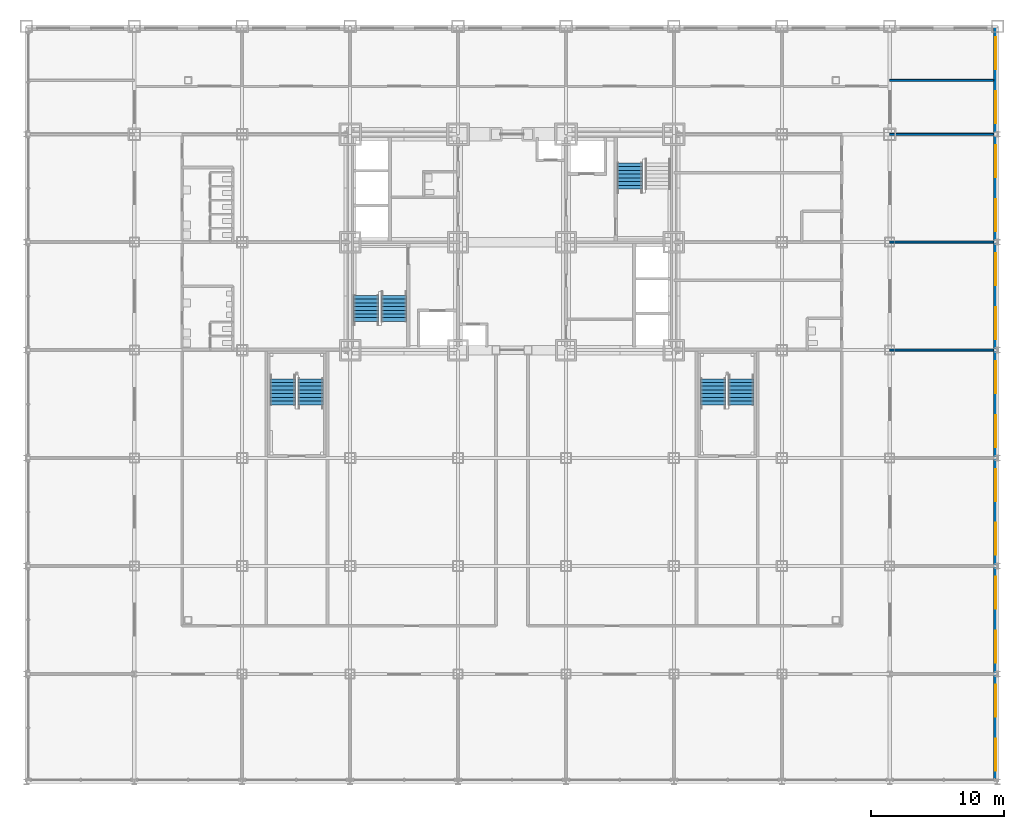
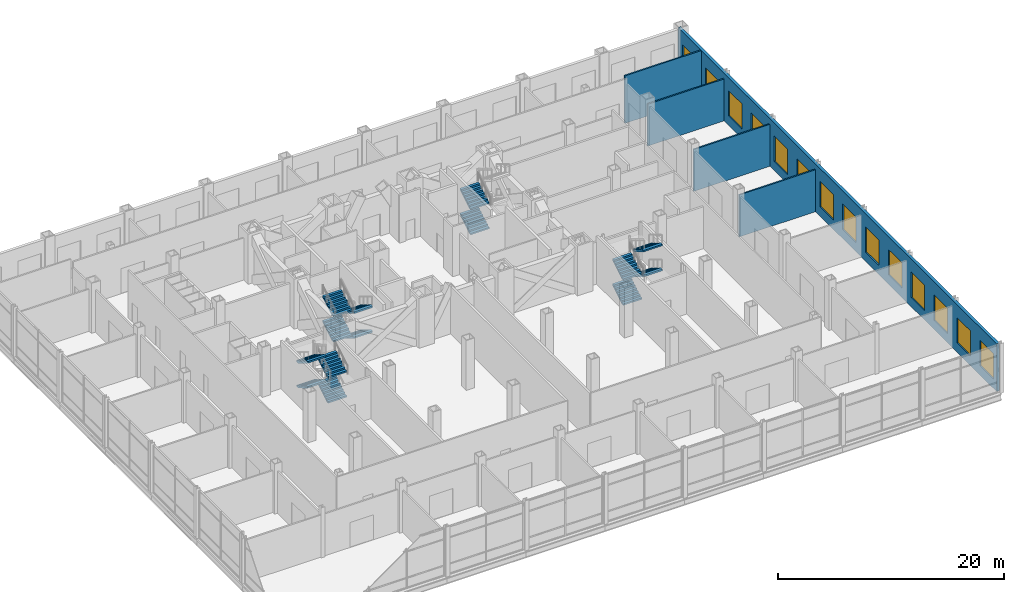
# One storey, part 26 of 30: 14 stair flights, 14 windows, 5 walls, 14 openings, 4 elements without a shape of their own.
"""IFC4 building model written with IfcOpenShell, lengths in metres."""

from ifc_helpers import new_model, si_unit, direction, frame, frame_2d, origin, place, context, subcontext, project, spatial, rectangle, extrude, polygons, source, transform, mapped, material, layer, layer_set, type_object, element, fill, aggregate, save


model = new_model("IFC4")

# Units and contexts
model_context = context("Model", 3, precision=1e-05, world=origin(), true_north=direction((0.0, 1.0)))
body_context = subcontext(model_context, "Body", "Model", "MODEL_VIEW")
ifc_project = project(units=[si_unit("LENGTHUNIT", "METRE"), si_unit("AREAUNIT", "SQUARE_METRE"), si_unit("VOLUMEUNIT", "CUBIC_METRE"), si_unit("PLANEANGLEUNIT", "RADIAN"), si_unit("MASSUNIT", "GRAM", prefix="KILO")], contexts=[model_context])

# Site, building, storey
site_placement = place(None, origin())
site = spatial("IfcSite", under=ifc_project, at=site_placement, CompositionType="ELEMENT")
building_placement = place(site_placement, origin())
building = spatial("IfcBuilding", under=site, at=building_placement, Name="Kopane Lantern Tower", CompositionType="ELEMENT")
storey_placement = place(building_placement, frame((0.0, 0.0, 6.0)))
storey = spatial("IfcBuildingStorey", under=building, at=storey_placement, Name="L01", CompositionType="ELEMENT", Elevation=6.0)

# Walls
ifc_material_1 = material(Name="Gypsum board on steel studs", Category="steel")
ifc_layer_1 = layer(ifc_material_1, 0.14990234375)
ifc_layer_set_1 = layer_set([ifc_layer_1], Name="DEMISING WALL 150 EI 60")
wall_type_1 = type_object("IfcWallType", Name="DEMISING WALL 150 EI 60", PredefinedType="PARTITIONING", material=ifc_layer_set_1)
for number, where, z_axis, x_axis, name in (
    (1, (56.699951171875, 24.300048828125, 0.0), (0.0, 0.0, 1.0), (1.0, 0.0, 0.0), "Demising Wall 150 Ei 60 L01"),
    (2, (56.699951171875, 32.39990234375, 0.0), (0.0, 0.0, 1.0), (1.0, 0.0, 0.0), "Demising Wall 150 Ei 60 L01"),
    (3, (56.699951171875, 40.5, 0.0), (0.0, 0.0, 1.0), (1.0, 0.0, 0.0), "Demising Wall 150 Ei 60 L01"),
):
    element("IfcWall", number, at=place(storey_placement, frame(where, z_axis=z_axis, x_axis=x_axis)), inside=storey, type_object=wall_type_1, Name=name, PredefinedType="PARTITIONING", context=body_context, shape_type="SweptSolid", body=[
        extrude(rectangle(XDim=7.800048828125, YDim=0.14990234375, at=frame_2d((3.89990234375, 0.0))), origin(), (0.0, 0.0, 1.0), 4.537841796875),
    ])
wall_1_placement = place(storey_placement, frame((56.699951171875, 44.550048828125, 0.0), z_axis=(0.0, 0.0, 1.0), x_axis=(1.0, 0.0, 0.0)))
element("IfcWall", 4, at=wall_1_placement, inside=storey, type_object=wall_type_1, Name="Demising Wall 150 Ei 60 L01", PredefinedType="PARTITIONING", context=body_context, shape_type="SweptSolid", body=[
    extrude(rectangle(XDim=7.800048828125, YDim=0.14990234375, at=frame_2d((3.89990234375, 0.0))), origin(), (0.0, 0.0, 1.0), 5.14990234375),
])

# Wall, openings, windows
ifc_material_2 = material(Name="Terracotta rainscreen on light steel framing", Category="masonry")
ifc_layer_2 = layer(ifc_material_2, 0.300048828125)
ifc_layer_set_2 = layer_set([ifc_layer_2], Name="EXTERNAL WALL EW1 300 TERRACOTTA")
wall_type_2 = type_object("IfcWallType", Name="EXTERNAL WALL EW1 300 TERRACOTTA", PredefinedType="SOLIDWALL", material=ifc_layer_set_2)
wall_2_placement = place(storey_placement, frame((64.64990234375, -7.85009765625, 0.0), z_axis=(0.0, 0.0, 1.0), x_axis=(0.0, 1.0, 0.0)))
wall_2 = element("IfcWall", 5, at=wall_2_placement, inside=storey, type_object=wall_type_2, Name="External wall E L01", PredefinedType="SOLIDWALL", context=body_context, shape_type="SweptSolid", body=[
    extrude(rectangle(XDim=56.4501953125, YDim=0.300048828125, at=frame_2d((28.22509765625, 0.0))), origin(), (0.0, 0.0, 1.0), 5.14990234375),
])
opening_1_placement = place(wall_2_placement, frame((0.574951171875, 0.0, 1.0)))
opening_1 = element("IfcOpeningElement", 6, at=opening_1_placement, cuts=wall_2, Name="Opening WP240275", PredefinedType="OPENING", context=body_context, shape_type="SweptSolid", body=[
    extrude(rectangle(XDim=2.39990234375, YDim=2.75, at=frame_2d((1.199951171875, 1.375))), frame((0.0, 0.159912109375, 0.0), z_axis=(0.0, -1.0, 0.0), x_axis=(1.0, 0.0, 0.0)), (0.0, 0.0, 1.0), 0.320068359375),
])
opening_2_placement = place(wall_2_placement, frame((4.625, 0.0, 1.0)))
opening_2 = element("IfcOpeningElement", 7, at=opening_2_placement, cuts=wall_2, Name="Opening WP240275", PredefinedType="OPENING", context=body_context, shape_type="SweptSolid", body=[
    extrude(rectangle(XDim=2.39990234375, YDim=2.75, at=frame_2d((1.199951171875, 1.375))), frame((0.0, 0.159912109375, 0.0), z_axis=(0.0, -1.0, 0.0), x_axis=(1.0, 0.0, 0.0)), (0.0, 0.0, 1.0), 0.320068359375),
])
opening_3_placement = place(wall_2_placement, frame((8.675048828125, 0.0, 1.0)))
opening_3 = element("IfcOpeningElement", 8, at=opening_3_placement, cuts=wall_2, Name="Opening WP240275", PredefinedType="OPENING", context=body_context, shape_type="SweptSolid", body=[
    extrude(rectangle(XDim=2.39990234375, YDim=2.75, at=frame_2d((1.199951171875, 1.375))), frame((0.0, 0.159912109375, 0.0), z_axis=(0.0, -1.0, 0.0), x_axis=(1.0, 0.0, 0.0)), (0.0, 0.0, 1.0), 0.320068359375),
])
opening_4_placement = place(wall_2_placement, frame((12.72509765625, 0.0, 1.0)))
opening_4 = element("IfcOpeningElement", 9, at=opening_4_placement, cuts=wall_2, Name="Opening WP240275", PredefinedType="OPENING", context=body_context, shape_type="SweptSolid", body=[
    extrude(rectangle(XDim=2.39990234375, YDim=2.75, at=frame_2d((1.199951171875, 1.375))), frame((0.0, 0.159912109375, 0.0), z_axis=(0.0, -1.0, 0.0), x_axis=(1.0, 0.0, 0.0)), (0.0, 0.0, 1.0), 0.320068359375),
])
opening_5_placement = place(wall_2_placement, frame((16.77490234375, 0.0, 1.0)))
opening_5 = element("IfcOpeningElement", 10, at=opening_5_placement, cuts=wall_2, Name="Opening WP240275", PredefinedType="OPENING", context=body_context, shape_type="SweptSolid", body=[
    extrude(rectangle(XDim=2.39990234375, YDim=2.75, at=frame_2d((1.199951171875, 1.375))), frame((0.0, 0.159912109375, 0.0), z_axis=(0.0, -1.0, 0.0), x_axis=(1.0, 0.0, 0.0)), (0.0, 0.0, 1.0), 0.320068359375),
])
opening_6_placement = place(wall_2_placement, frame((20.824951171875, 0.0, 1.0)))
opening_6 = element("IfcOpeningElement", 11, at=opening_6_placement, cuts=wall_2, Name="Opening WP240275", PredefinedType="OPENING", context=body_context, shape_type="SweptSolid", body=[
    extrude(rectangle(XDim=2.39990234375, YDim=2.75, at=frame_2d((1.199951171875, 1.375))), frame((0.0, 0.159912109375, 0.0), z_axis=(0.0, -1.0, 0.0), x_axis=(1.0, 0.0, 0.0)), (0.0, 0.0, 1.0), 0.320068359375),
])
opening_7_placement = place(wall_2_placement, frame((24.875, 0.0, 1.0)))
opening_7 = element("IfcOpeningElement", 12, at=opening_7_placement, cuts=wall_2, Name="Opening WP240275", PredefinedType="OPENING", context=body_context, shape_type="SweptSolid", body=[
    extrude(rectangle(XDim=2.39990234375, YDim=2.75, at=frame_2d((1.199951171875, 1.375))), frame((0.0, 0.159912109375, 0.0), z_axis=(0.0, -1.0, 0.0), x_axis=(1.0, 0.0, 0.0)), (0.0, 0.0, 1.0), 0.320068359375),
])
opening_8_placement = place(wall_2_placement, frame((28.925048828125, 0.0, 1.0)))
opening_8 = element("IfcOpeningElement", 13, at=opening_8_placement, cuts=wall_2, Name="Opening WP240275", PredefinedType="OPENING", context=body_context, shape_type="SweptSolid", body=[
    extrude(rectangle(XDim=2.39990234375, YDim=2.75, at=frame_2d((1.199951171875, 1.375))), frame((0.0, 0.159912109375, 0.0), z_axis=(0.0, -1.0, 0.0), x_axis=(1.0, 0.0, 0.0)), (0.0, 0.0, 1.0), 0.320068359375),
])
opening_9_placement = place(wall_2_placement, frame((32.97509765625, 0.0, 1.0)))
opening_9 = element("IfcOpeningElement", 14, at=opening_9_placement, cuts=wall_2, Name="Opening WP240275", PredefinedType="OPENING", context=body_context, shape_type="SweptSolid", body=[
    extrude(rectangle(XDim=2.39990234375, YDim=2.75, at=frame_2d((1.199951171875, 1.375))), frame((0.0, 0.159912109375, 0.0), z_axis=(0.0, -1.0, 0.0), x_axis=(1.0, 0.0, 0.0)), (0.0, 0.0, 1.0), 0.320068359375),
])
opening_10_placement = place(wall_2_placement, frame((37.02490234375, 0.0, 1.0)))
opening_10 = element("IfcOpeningElement", 15, at=opening_10_placement, cuts=wall_2, Name="Opening WP240275", PredefinedType="OPENING", context=body_context, shape_type="SweptSolid", body=[
    extrude(rectangle(XDim=2.39990234375, YDim=2.75, at=frame_2d((1.199951171875, 1.375))), frame((0.0, 0.159912109375, 0.0), z_axis=(0.0, -1.0, 0.0), x_axis=(1.0, 0.0, 0.0)), (0.0, 0.0, 1.0), 0.320068359375),
])
opening_11_placement = place(wall_2_placement, frame((41.074951171875, 0.0, 1.0)))
opening_11 = element("IfcOpeningElement", 16, at=opening_11_placement, cuts=wall_2, Name="Opening WP240275", PredefinedType="OPENING", context=body_context, shape_type="SweptSolid", body=[
    extrude(rectangle(XDim=2.39990234375, YDim=2.75, at=frame_2d((1.199951171875, 1.375))), frame((0.0, 0.159912109375, 0.0), z_axis=(0.0, -1.0, 0.0), x_axis=(1.0, 0.0, 0.0)), (0.0, 0.0, 1.0), 0.320068359375),
])
opening_12_placement = place(wall_2_placement, frame((45.125, 0.0, 1.0)))
opening_12 = element("IfcOpeningElement", 17, at=opening_12_placement, cuts=wall_2, Name="Opening WP240275", PredefinedType="OPENING", context=body_context, shape_type="SweptSolid", body=[
    extrude(rectangle(XDim=2.39990234375, YDim=2.75, at=frame_2d((1.199951171875, 1.375))), frame((0.0, 0.159912109375, 0.0), z_axis=(0.0, -1.0, 0.0), x_axis=(1.0, 0.0, 0.0)), (0.0, 0.0, 1.0), 0.320068359375),
])
opening_13_placement = place(wall_2_placement, frame((49.175048828125, 0.0, 1.0)))
opening_13 = element("IfcOpeningElement", 18, at=opening_13_placement, cuts=wall_2, Name="Opening WP240275", PredefinedType="OPENING", context=body_context, shape_type="SweptSolid", body=[
    extrude(rectangle(XDim=2.39990234375, YDim=2.75, at=frame_2d((1.199951171875, 1.375))), frame((0.0, 0.159912109375, 0.0), z_axis=(0.0, -1.0, 0.0), x_axis=(1.0, 0.0, 0.0)), (0.0, 0.0, 1.0), 0.320068359375),
])
opening_14_placement = place(wall_2_placement, frame((53.22509765625, 0.0, 1.0)))
opening_14 = element("IfcOpeningElement", 19, at=opening_14_placement, cuts=wall_2, Name="Opening WP240275", PredefinedType="OPENING", context=body_context, shape_type="SweptSolid", body=[
    extrude(rectangle(XDim=2.39990234375, YDim=2.75, at=frame_2d((1.199951171875, 1.375))), frame((0.0, 0.159912109375, 0.0), z_axis=(0.0, -1.0, 0.0), x_axis=(1.0, 0.0, 0.0)), (0.0, 0.0, 1.0), 0.320068359375),
])
ifc_material_3 = material(Name="Aluminium and clear glass", Category="aluminium")
window_type = type_object("IfcWindowType", Name="WINDOW WP240275 2400x2750", PartitioningType="SINGLE_PANEL", PredefinedType="WINDOW", material=ifc_material_3)
window_1_placement = place(opening_1_placement, origin())
window_1 = element("IfcWindow", 20, at=window_1_placement, inside=storey, type_object=window_type, Name="Window E L01", OverallHeight=2.75, OverallWidth=2.39990234375, PartitioningType="SINGLE_PANEL", PredefinedType="WINDOW", context=body_context, shape_type="SweptSolid", body=[
    extrude(rectangle(XDim=2.39990234375, YDim=2.75, at=frame_2d((1.199951171875, 1.375))), frame((0.0, 0.030029296875, 0.0), z_axis=(0.0, -1.0, 0.0), x_axis=(1.0, 0.0, 0.0)), (0.0, 0.0, 1.0), 0.06005859375),
])
fill(opening_1, window_1)
window_2_placement = place(opening_2_placement, origin())
window_2 = element("IfcWindow", 21, at=window_2_placement, inside=storey, type_object=window_type, Name="Window E L01", OverallHeight=2.75, OverallWidth=2.39990234375, PartitioningType="SINGLE_PANEL", PredefinedType="WINDOW", context=body_context, shape_type="SweptSolid", body=[
    extrude(rectangle(XDim=2.39990234375, YDim=2.75, at=frame_2d((1.199951171875, 1.375))), frame((0.0, 0.030029296875, 0.0), z_axis=(0.0, -1.0, 0.0), x_axis=(1.0, 0.0, 0.0)), (0.0, 0.0, 1.0), 0.06005859375),
])
fill(opening_2, window_2)
window_3_placement = place(opening_3_placement, origin())
window_3 = element("IfcWindow", 22, at=window_3_placement, inside=storey, type_object=window_type, Name="Window E L01", OverallHeight=2.75, OverallWidth=2.39990234375, PartitioningType="SINGLE_PANEL", PredefinedType="WINDOW", context=body_context, shape_type="SweptSolid", body=[
    extrude(rectangle(XDim=2.39990234375, YDim=2.75, at=frame_2d((1.199951171875, 1.375))), frame((0.0, 0.030029296875, 0.0), z_axis=(0.0, -1.0, 0.0), x_axis=(1.0, 0.0, 0.0)), (0.0, 0.0, 1.0), 0.06005859375),
])
fill(opening_3, window_3)
window_4_placement = place(opening_4_placement, origin())
window_4 = element("IfcWindow", 23, at=window_4_placement, inside=storey, type_object=window_type, Name="Window E L01", OverallHeight=2.75, OverallWidth=2.39990234375, PartitioningType="SINGLE_PANEL", PredefinedType="WINDOW", context=body_context, shape_type="SweptSolid", body=[
    extrude(rectangle(XDim=2.39990234375, YDim=2.75, at=frame_2d((1.199951171875, 1.375))), frame((0.0, 0.030029296875, 0.0), z_axis=(0.0, -1.0, 0.0), x_axis=(1.0, 0.0, 0.0)), (0.0, 0.0, 1.0), 0.06005859375),
])
fill(opening_4, window_4)
window_5_placement = place(opening_5_placement, origin())
window_5 = element("IfcWindow", 24, at=window_5_placement, inside=storey, type_object=window_type, Name="Window E L01", OverallHeight=2.75, OverallWidth=2.39990234375, PartitioningType="SINGLE_PANEL", PredefinedType="WINDOW", context=body_context, shape_type="SweptSolid", body=[
    extrude(rectangle(XDim=2.39990234375, YDim=2.75, at=frame_2d((1.199951171875, 1.375))), frame((0.0, 0.030029296875, 0.0), z_axis=(0.0, -1.0, 0.0), x_axis=(1.0, 0.0, 0.0)), (0.0, 0.0, 1.0), 0.06005859375),
])
fill(opening_5, window_5)
window_6_placement = place(opening_6_placement, origin())
window_6 = element("IfcWindow", 25, at=window_6_placement, inside=storey, type_object=window_type, Name="Window E L01", OverallHeight=2.75, OverallWidth=2.39990234375, PartitioningType="SINGLE_PANEL", PredefinedType="WINDOW", context=body_context, shape_type="SweptSolid", body=[
    extrude(rectangle(XDim=2.39990234375, YDim=2.75, at=frame_2d((1.199951171875, 1.375))), frame((0.0, 0.030029296875, 0.0), z_axis=(0.0, -1.0, 0.0), x_axis=(1.0, 0.0, 0.0)), (0.0, 0.0, 1.0), 0.06005859375),
])
fill(opening_6, window_6)
window_7_placement = place(opening_7_placement, origin())
window_7 = element("IfcWindow", 26, at=window_7_placement, inside=storey, type_object=window_type, Name="Window E L01", OverallHeight=2.75, OverallWidth=2.39990234375, PartitioningType="SINGLE_PANEL", PredefinedType="WINDOW", context=body_context, shape_type="SweptSolid", body=[
    extrude(rectangle(XDim=2.39990234375, YDim=2.75, at=frame_2d((1.199951171875, 1.375))), frame((0.0, 0.030029296875, 0.0), z_axis=(0.0, -1.0, 0.0), x_axis=(1.0, 0.0, 0.0)), (0.0, 0.0, 1.0), 0.06005859375),
])
fill(opening_7, window_7)
window_8_placement = place(opening_8_placement, origin())
window_8 = element("IfcWindow", 27, at=window_8_placement, inside=storey, type_object=window_type, Name="Window E L01", OverallHeight=2.75, OverallWidth=2.39990234375, PartitioningType="SINGLE_PANEL", PredefinedType="WINDOW", context=body_context, shape_type="SweptSolid", body=[
    extrude(rectangle(XDim=2.39990234375, YDim=2.75, at=frame_2d((1.199951171875, 1.375))), frame((0.0, 0.030029296875, 0.0), z_axis=(0.0, -1.0, 0.0), x_axis=(1.0, 0.0, 0.0)), (0.0, 0.0, 1.0), 0.06005859375),
])
fill(opening_8, window_8)
window_9_placement = place(opening_9_placement, origin())
window_9 = element("IfcWindow", 28, at=window_9_placement, inside=storey, type_object=window_type, Name="Window E L01", OverallHeight=2.75, OverallWidth=2.39990234375, PartitioningType="SINGLE_PANEL", PredefinedType="WINDOW", context=body_context, shape_type="SweptSolid", body=[
    extrude(rectangle(XDim=2.39990234375, YDim=2.75, at=frame_2d((1.199951171875, 1.375))), frame((0.0, 0.030029296875, 0.0), z_axis=(0.0, -1.0, 0.0), x_axis=(1.0, 0.0, 0.0)), (0.0, 0.0, 1.0), 0.06005859375),
])
fill(opening_9, window_9)
window_10_placement = place(opening_10_placement, origin())
window_10 = element("IfcWindow", 29, at=window_10_placement, inside=storey, type_object=window_type, Name="Window E L01", OverallHeight=2.75, OverallWidth=2.39990234375, PartitioningType="SINGLE_PANEL", PredefinedType="WINDOW", context=body_context, shape_type="SweptSolid", body=[
    extrude(rectangle(XDim=2.39990234375, YDim=2.75, at=frame_2d((1.199951171875, 1.375))), frame((0.0, 0.030029296875, 0.0), z_axis=(0.0, -1.0, 0.0), x_axis=(1.0, 0.0, 0.0)), (0.0, 0.0, 1.0), 0.06005859375),
])
fill(opening_10, window_10)
window_11_placement = place(opening_11_placement, origin())
window_11 = element("IfcWindow", 30, at=window_11_placement, inside=storey, type_object=window_type, Name="Window E L01", OverallHeight=2.75, OverallWidth=2.39990234375, PartitioningType="SINGLE_PANEL", PredefinedType="WINDOW", context=body_context, shape_type="SweptSolid", body=[
    extrude(rectangle(XDim=2.39990234375, YDim=2.75, at=frame_2d((1.199951171875, 1.375))), frame((0.0, 0.030029296875, 0.0), z_axis=(0.0, -1.0, 0.0), x_axis=(1.0, 0.0, 0.0)), (0.0, 0.0, 1.0), 0.06005859375),
])
fill(opening_11, window_11)
window_12_placement = place(opening_12_placement, origin())
window_12 = element("IfcWindow", 31, at=window_12_placement, inside=storey, type_object=window_type, Name="Window E L01", OverallHeight=2.75, OverallWidth=2.39990234375, PartitioningType="SINGLE_PANEL", PredefinedType="WINDOW", context=body_context, shape_type="SweptSolid", body=[
    extrude(rectangle(XDim=2.39990234375, YDim=2.75, at=frame_2d((1.199951171875, 1.375))), frame((0.0, 0.030029296875, 0.0), z_axis=(0.0, -1.0, 0.0), x_axis=(1.0, 0.0, 0.0)), (0.0, 0.0, 1.0), 0.06005859375),
])
fill(opening_12, window_12)
window_13_placement = place(opening_13_placement, origin())
window_13 = element("IfcWindow", 32, at=window_13_placement, inside=storey, type_object=window_type, Name="Window E L01", OverallHeight=2.75, OverallWidth=2.39990234375, PartitioningType="SINGLE_PANEL", PredefinedType="WINDOW", context=body_context, shape_type="SweptSolid", body=[
    extrude(rectangle(XDim=2.39990234375, YDim=2.75, at=frame_2d((1.199951171875, 1.375))), frame((0.0, 0.030029296875, 0.0), z_axis=(0.0, -1.0, 0.0), x_axis=(1.0, 0.0, 0.0)), (0.0, 0.0, 1.0), 0.06005859375),
])
fill(opening_13, window_13)
window_14_placement = place(opening_14_placement, origin())
window_14 = element("IfcWindow", 33, at=window_14_placement, inside=storey, type_object=window_type, Name="Window E L01", OverallHeight=2.75, OverallWidth=2.39990234375, PartitioningType="SINGLE_PANEL", PredefinedType="WINDOW", context=body_context, shape_type="SweptSolid", body=[
    extrude(rectangle(XDim=2.39990234375, YDim=2.75, at=frame_2d((1.199951171875, 1.375))), frame((0.0, 0.030029296875, 0.0), z_axis=(0.0, -1.0, 0.0), x_axis=(1.0, 0.0, 0.0)), (0.0, 0.0, 1.0), 0.06005859375),
])
fill(opening_14, window_14)

# Stair, stair flights
ifc_material_4 = material(Name="Steel S355JR", Category="steel")
stair_type = type_object("IfcStairType", Name="EXIT STAIR 1900 HALF TURN", PredefinedType="HALF_TURN_STAIR", material=ifc_material_4)
stair_1_placement = place(storey_placement, origin())
stair_1 = element("IfcStair", 34, at=stair_1_placement, inside=storey, type_object=stair_type, Name="Exit stair ST1 L01", PredefinedType="HALF_TURN_STAIR")
ifc_material_5 = material(Name="Steel S355JR", Category="steel")
stair_flight_type = type_object("IfcStairFlightType", Name="STAIR FLIGHT 1900 STEEL", PredefinedType="STRAIGHT", material=ifc_material_5)
shared_shape = source(origin(), body_context, "Body", "Tessellation", [
    polygons([(1.959960938, 0.949951172, 1.181152344), (1.679931641, 0.949951172, 1.181152344), (1.679931641, -0.949951172, 1.181152344), (1.959960938, -0.949951172, 1.181152344), (0.290527344, 0.949951172, 0.0), (1.959960938, 0.949951172, 1.006347656), (1.959960938, -0.949951172, 1.006347656), (0.290527344, -0.949951172, 0.0), (0.0, 0.949951172, 0.0), (0.0, -0.949951172, 0.0), (0.280029297, 0.949951172, 0.168701172), (0.0, 0.949951172, 0.168701172), (0.0, -0.949951172, 0.168701172), (0.280029297, -0.949951172, 0.168701172), (0.280029297, 0.949951172, 0.337402344), (0.280029297, -0.949951172, 0.337402344), (0.560058594, 0.949951172, 0.337402344), (0.560058594, -0.949951172, 0.337402344), (0.560058594, 0.949951172, 0.506347656), (0.560058594, -0.949951172, 0.506347656), (0.840087891, 0.949951172, 0.506347656), (0.840087891, -0.949951172, 0.506347656), (0.840087891, 0.949951172, 0.675048828), (0.840087891, -0.949951172, 0.675048828), (1.120117188, 0.949951172, 0.675048828), (1.120117188, -0.949951172, 0.675048828), (1.120117188, 0.949951172, 0.84375), (1.120117188, -0.949951172, 0.84375), (1.399902344, 0.949951172, 0.84375), (1.399902344, -0.949951172, 0.84375), (1.399902344, 0.949951172, 1.012451172), (1.399902344, -0.949951172, 1.012451172), (1.679931641, 0.949951172, 1.012451172), (1.679931641, -0.949951172, 1.012451172), (0.0, 0.0, 0.004559491), (0.0, 0.0, 0.009118982), (0.0, 0.0, 0.013678473), (0.0, 0.0, 0.018237965), (0.0, 0.0, 0.022797456), (0.0, 0.0, 0.027356947), (0.0, 0.0, 0.031916438), (0.0, 0.0, 0.036475929), (0.0, 0.0, 0.04103542), (0.0, 0.0, 0.045594911), (0.0, 0.0, 0.050154402), (0.0, 0.0, 0.054713894), (0.0, 0.0, 0.059273385), (0.0, 0.0, 0.063832876), (0.0, 0.0, 0.068392367), (0.0, 0.0, 0.072951858), (0.0, 0.0, 0.077511349), (0.0, 0.0, 0.08207084), (0.0, 0.0, 0.086630332), (0.0, 0.0, 0.091189823), (0.0, 0.0, 0.095749314), (0.0, 0.0, 0.100308805), (0.0, 0.0, 0.104868296), (0.0, 0.0, 0.109427787), (0.0, 0.0, 0.113987278), (0.0, 0.0, 0.118546769), (0.0, 0.0, 0.123106261), (0.0, 0.0, 0.127665752), (0.0, 0.0, 0.132225243), (0.0, 0.0, 0.136784734), (0.0, 0.0, 0.141344225), (0.0, 0.0, 0.145903716), (0.0, 0.0, 0.150463207), (0.0, 0.0, 0.155022698), (0.0, 0.0, 0.15958219), (0.0, 0.0, 0.164141681), (1.959960938, 0.0, 1.011072107), (1.959960938, 0.0, 1.015796558), (1.959960938, 0.0, 1.020521009), (1.959960938, 0.0, 1.02524546), (1.959960938, 0.0, 1.029969911), (1.959960938, 0.0, 1.034694362), (1.959960938, 0.0, 1.039418813), (1.959960938, 0.0, 1.044143264), (1.959960938, 0.0, 1.048867715), (1.959960938, 0.0, 1.053592166), (1.959960938, 0.0, 1.058316617), (1.959960938, 0.0, 1.063041068), (1.959960938, 0.0, 1.067765519), (1.959960938, 0.0, 1.07248997), (1.959960938, 0.0, 1.077214421), (1.959960938, 0.0, 1.081938872), (1.959960938, 0.0, 1.086663323), (1.959960938, 0.0, 1.091387774), (1.959960938, 0.0, 1.096112226), (1.959960938, 0.0, 1.100836677), (1.959960938, 0.0, 1.105561128), (1.959960938, 0.0, 1.110285579), (1.959960938, 0.0, 1.11501003), (1.959960938, 0.0, 1.119734481), (1.959960938, 0.0, 1.124458932), (1.959960938, 0.0, 1.129183383), (1.959960938, 0.0, 1.133907834), (1.959960938, 0.0, 1.138632285), (1.959960938, 0.0, 1.143356736), (1.959960938, 0.0, 1.148081187), (1.959960938, 0.0, 1.152805638), (1.959960938, 0.0, 1.157530089), (1.959960938, 0.0, 1.16225454), (1.959960938, 0.0, 1.166978991), (1.959960938, 0.0, 1.171703442), (1.959960938, 0.0, 1.176427893)], [[[1, 2, 3]], [[1, 3, 4]], [[5, 6, 7]], [[5, 7, 8]], [[9, 5, 8]], [[9, 8, 10]], [[11, 12, 13]], [[11, 13, 14]], [[15, 11, 14]], [[15, 14, 16]], [[17, 15, 16]], [[17, 16, 18]], [[19, 17, 18]], [[19, 18, 20]], [[21, 19, 20]], [[21, 20, 22]], [[23, 21, 22]], [[23, 22, 24]], [[25, 23, 24]], [[25, 24, 26]], [[27, 25, 26]], [[27, 26, 28]], [[29, 27, 28]], [[29, 28, 30]], [[31, 29, 30]], [[31, 30, 32]], [[33, 31, 32]], [[33, 32, 34]], [[2, 33, 34]], [[2, 34, 3]], [[33, 1, 6]], [[29, 33, 6]], [[2, 1, 33]], [[25, 29, 6]], [[31, 33, 29]], [[5, 21, 25]], [[27, 29, 25]], [[17, 21, 5]], [[23, 25, 21]], [[11, 17, 5]], [[19, 21, 17]], [[9, 11, 5]], [[15, 17, 11]], [[12, 11, 9]], [[6, 5, 25]], [[7, 4, 34]], [[7, 34, 30]], [[34, 4, 3]], [[7, 30, 26]], [[30, 34, 32]], [[26, 22, 8]], [[26, 30, 28]], [[8, 22, 18]], [[22, 26, 24]], [[8, 18, 14]], [[18, 22, 20]], [[8, 14, 10]], [[14, 18, 16]], [[10, 14, 13]], [[26, 8, 7]], [[10, 35, 9]], [[10, 36, 35]], [[9, 35, 36]], [[10, 37, 36]], [[9, 36, 37]], [[10, 38, 37]], [[9, 37, 38]], [[10, 39, 38]], [[9, 38, 39]], [[10, 40, 39]], [[9, 39, 40]], [[10, 41, 40]], [[9, 40, 41]], [[10, 42, 41]], [[9, 41, 42]], [[10, 43, 42]], [[9, 42, 43]], [[10, 44, 43]], [[9, 43, 44]], [[10, 45, 44]], [[9, 44, 45]], [[10, 46, 45]], [[9, 45, 46]], [[10, 47, 46]], [[9, 46, 47]], [[10, 48, 47]], [[9, 47, 48]], [[10, 49, 48]], [[9, 48, 49]], [[10, 50, 49]], [[9, 49, 50]], [[10, 51, 50]], [[9, 50, 51]], [[10, 52, 51]], [[9, 51, 52]], [[10, 53, 52]], [[9, 52, 53]], [[10, 54, 53]], [[9, 53, 54]], [[10, 55, 54]], [[9, 54, 55]], [[10, 56, 55]], [[9, 55, 56]], [[10, 57, 56]], [[9, 56, 57]], [[10, 58, 57]], [[9, 57, 58]], [[10, 59, 58]], [[9, 58, 59]], [[10, 60, 59]], [[9, 59, 60]], [[10, 61, 60]], [[9, 60, 61]], [[10, 62, 61]], [[9, 61, 62]], [[10, 63, 62]], [[9, 62, 63]], [[10, 64, 63]], [[9, 63, 64]], [[10, 65, 64]], [[9, 64, 65]], [[10, 66, 65]], [[9, 65, 66]], [[10, 67, 66]], [[9, 66, 67]], [[10, 68, 67]], [[9, 67, 68]], [[10, 69, 68]], [[9, 68, 69]], [[10, 70, 69]], [[9, 69, 70]], [[10, 13, 70]], [[70, 13, 12]], [[9, 70, 12]], [[7, 6, 71]], [[7, 71, 72]], [[6, 72, 71]], [[7, 72, 73]], [[6, 73, 72]], [[7, 73, 74]], [[6, 74, 73]], [[7, 74, 75]], [[6, 75, 74]], [[7, 75, 76]], [[6, 76, 75]], [[7, 76, 77]], [[6, 77, 76]], [[7, 77, 78]], [[6, 78, 77]], [[7, 78, 79]], [[6, 79, 78]], [[7, 79, 80]], [[6, 80, 79]], [[7, 80, 81]], [[6, 81, 80]], [[7, 81, 82]], [[6, 82, 81]], [[7, 82, 83]], [[6, 83, 82]], [[7, 83, 84]], [[6, 84, 83]], [[7, 84, 85]], [[6, 85, 84]], [[7, 85, 86]], [[6, 86, 85]], [[7, 86, 87]], [[6, 87, 86]], [[7, 87, 88]], [[6, 88, 87]], [[7, 88, 89]], [[6, 89, 88]], [[7, 89, 90]], [[6, 90, 89]], [[7, 90, 91]], [[6, 91, 90]], [[7, 91, 92]], [[6, 92, 91]], [[7, 92, 93]], [[6, 93, 92]], [[7, 93, 94]], [[6, 94, 93]], [[7, 94, 95]], [[6, 95, 94]], [[7, 95, 96]], [[6, 96, 95]], [[7, 96, 97]], [[6, 97, 96]], [[7, 97, 98]], [[6, 98, 97]], [[7, 98, 99]], [[6, 99, 98]], [[7, 99, 100]], [[6, 100, 99]], [[7, 100, 101]], [[6, 101, 100]], [[7, 101, 102]], [[6, 102, 101]], [[7, 102, 103]], [[6, 103, 102]], [[7, 103, 104]], [[6, 104, 103]], [[7, 104, 105]], [[6, 105, 104]], [[7, 105, 106]], [[6, 106, 105]], [[7, 106, 4]], [[106, 1, 4]], [[6, 1, 106]]], closed=True),
])
stair_flight_1_placement = place(storey_placement, frame((19.5, 28.409912109375, 0.0), z_axis=(0.0, 0.0, 1.0), x_axis=(0.0, -1.0, 0.0)))
stair_flight_1 = element("IfcStairFlight", 35, at=stair_flight_1_placement, type_object=stair_flight_type, Name="ST1 flight 1", NumberOfRisers=8, NumberOfTreads=7, PredefinedType="STRAIGHT", RiserHeight=0.16875, TreadLength=0.28, context=body_context, shape_type="MappedRepresentation", body=[
    mapped(shared_shape, transform((0.0, 0.0, 0.0))),
])
stair_flight_2_placement = place(storey_placement, frame((17.39990234375, 26.449951171875, 1.35009765625), z_axis=(0.0, 0.0, 1.0), x_axis=(0.0, 1.0, 0.0)))
stair_flight_2 = element("IfcStairFlight", 36, at=stair_flight_2_placement, type_object=stair_flight_type, Name="ST1 flight 2", NumberOfRisers=8, NumberOfTreads=7, PredefinedType="STRAIGHT", RiserHeight=0.16875, TreadLength=0.28, context=body_context, shape_type="MappedRepresentation", body=[
    mapped(shared_shape, transform((0.0, 0.0, 0.0))),
])
stair_flight_3_placement = place(storey_placement, frame((19.5, 28.409912109375, 2.699951171875), z_axis=(0.0, 0.0, 1.0), x_axis=(0.0, -1.0, 0.0)))
stair_flight_3 = element("IfcStairFlight", 37, at=stair_flight_3_placement, type_object=stair_flight_type, Name="ST1 flight 3", NumberOfRisers=8, NumberOfTreads=7, PredefinedType="STRAIGHT", RiserHeight=0.16875, TreadLength=0.28, context=body_context, shape_type="MappedRepresentation", body=[
    mapped(shared_shape, transform((0.0, 0.0, 0.0))),
])
stair_flight_4_placement = place(storey_placement, frame((17.39990234375, 26.449951171875, 4.050048828125), z_axis=(0.0, 0.0, 1.0), x_axis=(0.0, 1.0, 0.0)))
stair_flight_4 = element("IfcStairFlight", 38, at=stair_flight_4_placement, type_object=stair_flight_type, Name="ST1 flight 4", NumberOfRisers=8, NumberOfTreads=7, PredefinedType="STRAIGHT", RiserHeight=0.16875, TreadLength=0.28, context=body_context, shape_type="MappedRepresentation", body=[
    mapped(shared_shape, transform((0.0, 0.0, 0.0))),
])
aggregate(stair_1, [stair_flight_1, stair_flight_2, stair_flight_3, stair_flight_4])

stair_2_placement = place(storey_placement, origin())
stair_2 = element("IfcStair", 39, at=stair_2_placement, inside=storey, type_object=stair_type, Name="Exit stair ST2 L01", PredefinedType="HALF_TURN_STAIR")
stair_flight_5_placement = place(storey_placement, frame((37.199951171875, 36.389892578125, 0.0), z_axis=(0.0, 0.0, 1.0), x_axis=(0.0, 1.0, 0.0)))
stair_flight_5 = element("IfcStairFlight", 40, at=stair_flight_5_placement, type_object=stair_flight_type, Name="ST2 flight 1", NumberOfRisers=8, NumberOfTreads=7, PredefinedType="STRAIGHT", RiserHeight=0.16875, TreadLength=0.28, context=body_context, shape_type="MappedRepresentation", body=[
    mapped(shared_shape, transform((0.0, 0.0, 0.0))),
])
stair_flight_6_placement = place(storey_placement, frame((37.199951171875, 36.389892578125, 2.699951171875), z_axis=(0.0, 0.0, 1.0), x_axis=(0.0, 1.0, 0.0)))
stair_flight_6 = element("IfcStairFlight", 41, at=stair_flight_6_placement, type_object=stair_flight_type, Name="ST2 flight 3", NumberOfRisers=8, NumberOfTreads=7, PredefinedType="STRAIGHT", RiserHeight=0.16875, TreadLength=0.28, context=body_context, shape_type="MappedRepresentation", body=[
    mapped(shared_shape, transform((0.0, 0.0, 0.0))),
])
aggregate(stair_2, [stair_flight_5, stair_flight_6])

stair_3_placement = place(storey_placement, origin())
stair_3 = element("IfcStair", 42, at=stair_3_placement, inside=storey, type_object=stair_type, Name="Exit stair ST3 L01", PredefinedType="HALF_TURN_STAIR")
stair_flight_7_placement = place(storey_placement, frame((13.25, 20.18994140625, 0.0), z_axis=(0.0, 0.0, 1.0), x_axis=(0.0, 1.0, 0.0)))
stair_flight_7 = element("IfcStairFlight", 43, at=stair_flight_7_placement, type_object=stair_flight_type, Name="ST3 flight 1", NumberOfRisers=8, NumberOfTreads=7, PredefinedType="STRAIGHT", RiserHeight=0.16875, TreadLength=0.28, context=body_context, shape_type="MappedRepresentation", body=[
    mapped(shared_shape, transform((0.0, 0.0, 0.0))),
])
stair_flight_8_placement = place(storey_placement, frame((11.14990234375, 22.14990234375, 1.35009765625), z_axis=(0.0, 0.0, 1.0), x_axis=(0.0, -1.0, 0.0)))
stair_flight_8 = element("IfcStairFlight", 44, at=stair_flight_8_placement, type_object=stair_flight_type, Name="ST3 flight 2", NumberOfRisers=8, NumberOfTreads=7, PredefinedType="STRAIGHT", RiserHeight=0.16875, TreadLength=0.28, context=body_context, shape_type="MappedRepresentation", body=[
    mapped(shared_shape, transform((0.0, 0.0, 0.0))),
])
stair_flight_9_placement = place(storey_placement, frame((13.25, 20.18994140625, 2.699951171875), z_axis=(0.0, 0.0, 1.0), x_axis=(0.0, 1.0, 0.0)))
stair_flight_9 = element("IfcStairFlight", 45, at=stair_flight_9_placement, type_object=stair_flight_type, Name="ST3 flight 3", NumberOfRisers=8, NumberOfTreads=7, PredefinedType="STRAIGHT", RiserHeight=0.16875, TreadLength=0.28, context=body_context, shape_type="MappedRepresentation", body=[
    mapped(shared_shape, transform((0.0, 0.0, 0.0))),
])
stair_flight_10_placement = place(storey_placement, frame((11.14990234375, 22.14990234375, 4.050048828125), z_axis=(0.0, 0.0, 1.0), x_axis=(0.0, -1.0, 0.0)))
stair_flight_10 = element("IfcStairFlight", 46, at=stair_flight_10_placement, type_object=stair_flight_type, Name="ST3 flight 4", NumberOfRisers=8, NumberOfTreads=7, PredefinedType="STRAIGHT", RiserHeight=0.16875, TreadLength=0.28, context=body_context, shape_type="MappedRepresentation", body=[
    mapped(shared_shape, transform((0.0, 0.0, 0.0))),
])
aggregate(stair_3, [stair_flight_7, stair_flight_8, stair_flight_9, stair_flight_10])

stair_4_placement = place(storey_placement, origin())
stair_4 = element("IfcStair", 47, at=stair_4_placement, inside=storey, type_object=stair_type, Name="Exit stair ST4 L01", PredefinedType="HALF_TURN_STAIR")
stair_flight_11_placement = place(storey_placement, frame((43.449951171875, 20.18994140625, 0.0), z_axis=(0.0, 0.0, 1.0), x_axis=(0.0, 1.0, 0.0)))
stair_flight_11 = element("IfcStairFlight", 48, at=stair_flight_11_placement, type_object=stair_flight_type, Name="ST4 flight 1", NumberOfRisers=8, NumberOfTreads=7, PredefinedType="STRAIGHT", RiserHeight=0.16875, TreadLength=0.28, context=body_context, shape_type="MappedRepresentation", body=[
    mapped(shared_shape, transform((0.0, 0.0, 0.0))),
])
stair_flight_12_placement = place(storey_placement, frame((45.550048828125, 22.14990234375, 1.35009765625), z_axis=(0.0, 0.0, 1.0), x_axis=(0.0, -1.0, 0.0)))
stair_flight_12 = element("IfcStairFlight", 49, at=stair_flight_12_placement, type_object=stair_flight_type, Name="ST4 flight 2", NumberOfRisers=8, NumberOfTreads=7, PredefinedType="STRAIGHT", RiserHeight=0.16875, TreadLength=0.28, context=body_context, shape_type="MappedRepresentation", body=[
    mapped(shared_shape, transform((0.0, 0.0, 0.0))),
])
stair_flight_13_placement = place(storey_placement, frame((43.449951171875, 20.18994140625, 2.699951171875), z_axis=(0.0, 0.0, 1.0), x_axis=(0.0, 1.0, 0.0)))
stair_flight_13 = element("IfcStairFlight", 50, at=stair_flight_13_placement, type_object=stair_flight_type, Name="ST4 flight 3", NumberOfRisers=8, NumberOfTreads=7, PredefinedType="STRAIGHT", RiserHeight=0.16875, TreadLength=0.28, context=body_context, shape_type="MappedRepresentation", body=[
    mapped(shared_shape, transform((0.0, 0.0, 0.0))),
])
stair_flight_14_placement = place(storey_placement, frame((45.550048828125, 22.14990234375, 4.050048828125), z_axis=(0.0, 0.0, 1.0), x_axis=(0.0, -1.0, 0.0)))
stair_flight_14 = element("IfcStairFlight", 51, at=stair_flight_14_placement, type_object=stair_flight_type, Name="ST4 flight 4", NumberOfRisers=8, NumberOfTreads=7, PredefinedType="STRAIGHT", RiserHeight=0.16875, TreadLength=0.28, context=body_context, shape_type="MappedRepresentation", body=[
    mapped(shared_shape, transform((0.0, 0.0, 0.0))),
])
aggregate(stair_4, [stair_flight_11, stair_flight_12, stair_flight_13, stair_flight_14])

save(model, "model.ifc")
